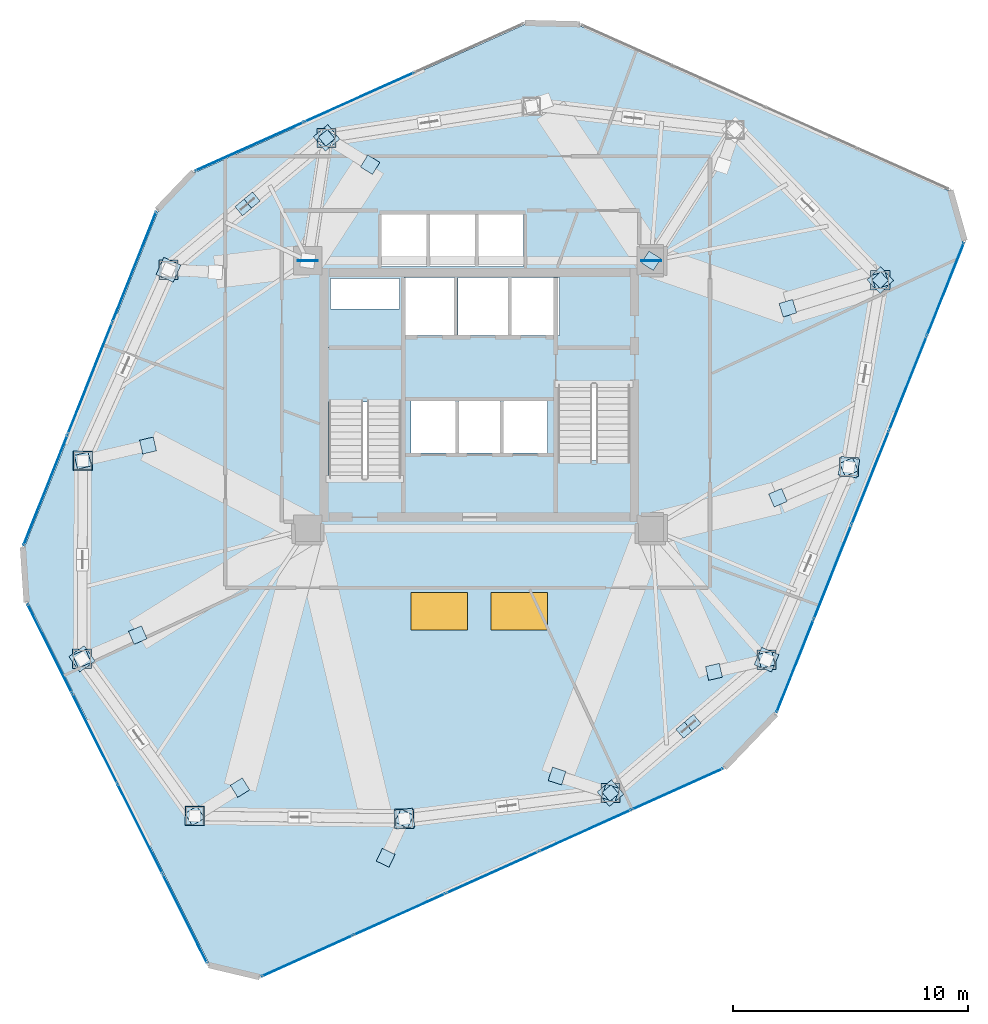
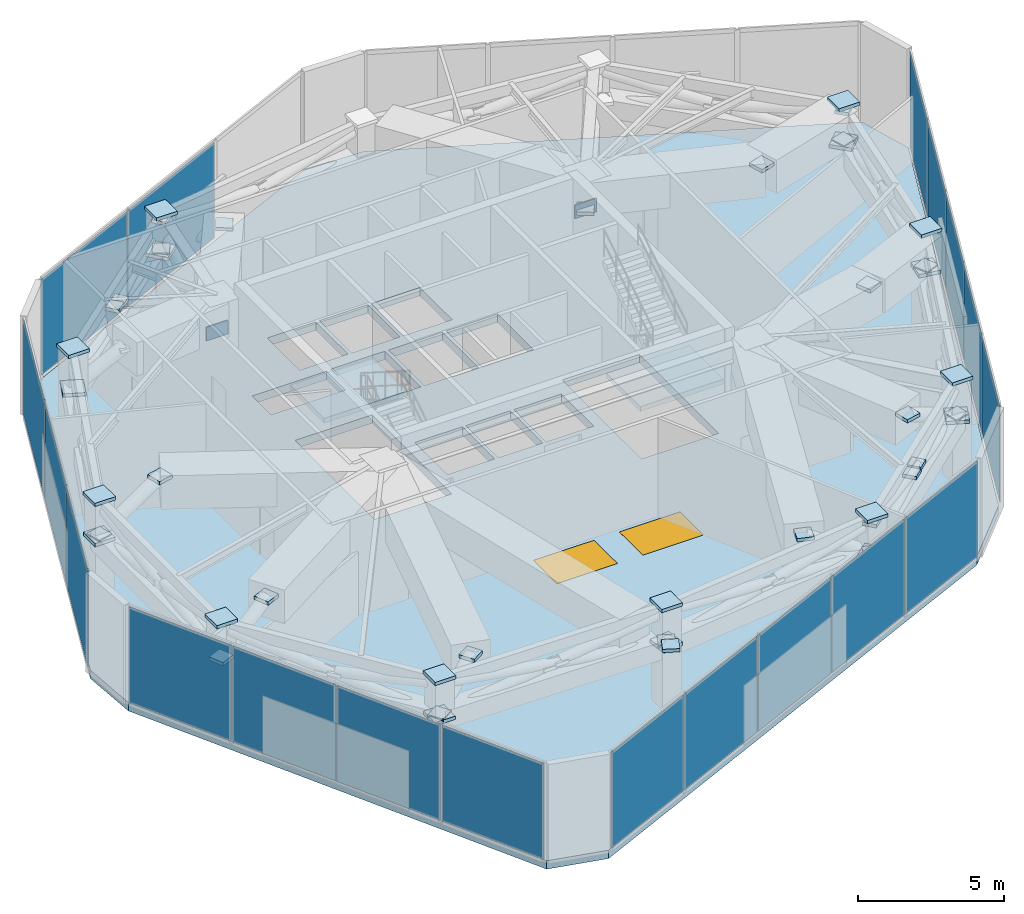
# One storey, part 16 of 21: 67 plates, 3 slabs, 2 windows, 2 openings, 7 elements without a shape of their own.
"""IFC4 building model written with IfcOpenShell, lengths in metres."""

from ifc_helpers import new_model, si_unit, direction, frame, origin, origin_2d, place, context, subcontext, project, spatial, polyline, rectangle, outline, extrude, source, transform, mapped, material, layer, layer_set, type_object, type_shapes, element, fill, aggregate, save


model = new_model("IFC4")

# Units and contexts
model_context = context("Model", 3, precision=1e-05, world=origin(), true_north=direction((0.0, 1.0)))
body_context = subcontext(model_context, "Body", "Model", "MODEL_VIEW")
ifc_project = project(units=[si_unit("LENGTHUNIT", "METRE"), si_unit("AREAUNIT", "SQUARE_METRE"), si_unit("VOLUMEUNIT", "CUBIC_METRE"), si_unit("PLANEANGLEUNIT", "RADIAN"), si_unit("MASSUNIT", "GRAM", prefix="KILO")], contexts=[model_context])

# Site, building, storey
site_placement = place(None, origin())
site = spatial("IfcSite", under=ifc_project, at=site_placement, CompositionType="ELEMENT")
building_placement = place(site_placement, origin())
building = spatial("IfcBuilding", under=site, at=building_placement, Name="Talar Marvaseh", CompositionType="ELEMENT")
storey_placement = place(building_placement, frame((0.0, 0.0, 162.39990234375)))
storey = spatial("IfcBuildingStorey", under=building, at=storey_placement, Name="L42", CompositionType="ELEMENT", Elevation=162.39990234375)

# Stair, slab
ifc_material_1 = material(Name="Concrete C40/50", Category="concrete")
stair_type = type_object("IfcStairType", Name="Reinforced Concrete Half-Turn Exit Stair Type B", PredefinedType="HALF_TURN_STAIR", material=ifc_material_1)
stair_1_placement = place(storey_placement, origin())
stair_1 = element("IfcStair", 1, at=stair_1_placement, inside=storey, type_object=stair_type, Name="L42 Tower West Core Exit Stair", PredefinedType="HALF_TURN_STAIR")
ifc_layer_1 = layer(ifc_material_1, 0.199951171875)
ifc_layer_set_1 = layer_set([ifc_layer_1], Name="Concrete C40/50")
slab_type_1 = type_object("IfcSlabType", Name="Reinforced Concrete Stair Half-Landing Slab 200", PredefinedType="LANDING", material=ifc_layer_set_1)
slab_1_placement = place(storey_placement, frame((0.0, 0.0, 2.10009765625)))
slab_1 = element("IfcSlab", 2, at=slab_1_placement, type_object=slab_type_1, Name="ST-1 landing 1", PredefinedType="LANDING", context=body_context, shape_type="SweptSolid", body=[
    extrude(outline(polyline([(22.780029296875, 30.889892578125), (22.780029296875, 33.219970703125), (19.47998046875, 33.219970703125), (19.47998046875, 30.889892578125), (22.780029296875, 30.889892578125)])), origin(), (0.0, 0.0, 1.0), 0.199951171875),
])
aggregate(stair_1, [slab_1])

stair_2_placement = place(storey_placement, origin())
stair_2 = element("IfcStair", 3, at=stair_2_placement, inside=storey, type_object=stair_type, Name="L42 Tower East Core Exit Stair", PredefinedType="HALF_TURN_STAIR")
slab_2_placement = place(storey_placement, frame((0.0, 0.0, 2.10009765625)))
slab_2 = element("IfcSlab", 4, at=slab_2_placement, type_object=slab_type_1, Name="ST-2 landing 1", PredefinedType="LANDING", context=body_context, shape_type="SweptSolid", body=[
    extrude(outline(polyline([(29.219970703125, 28.409912109375), (29.219970703125, 26.080078125), (32.52001953125, 26.080078125), (32.52001953125, 28.409912109375), (29.219970703125, 28.409912109375)])), origin(), (0.0, 0.0, 1.0), 0.199951171875),
])
aggregate(stair_2, [slab_2])

# Slab, openings, windows
ifc_material_2 = material(Name="Concrete C50/60", Category="concrete")
ifc_layer_2 = layer(ifc_material_2, 0.35009765625)
ifc_layer_set_2 = layer_set([ifc_layer_2], Name="Concrete C50/60")
slab_type_2 = type_object("IfcSlabType", Name="Structural Suspended Floor Slab 350", PredefinedType="FLOOR", material=ifc_layer_set_2)
slab_3_placement = place(storey_placement, frame((0.0, 0.0, -0.349853515625)))
slab_3 = element("IfcSlab", 5, at=slab_3_placement, inside=storey, type_object=slab_type_2, Name="L42 Tower Floor Slab", PredefinedType="FLOOR", context=body_context, shape_type="SweptSolid", body=[
    extrude(outline(polyline([(16.66455078125, 6.50390625), (14.5078125, 7.0146484375), (6.81103515625, 22.38720703125), (6.65283203125, 24.72265625), (12.3388671875, 39.023681640625), (13.891357421875, 40.6455078125), (27.930908203125, 46.949951171875), (30.27099609375, 46.893798828125), (45.964599609375, 39.875), (46.569091796875, 37.7421875), (38.555419921875, 17.664794921875), (36.373291015625, 15.3857421875), (16.66455078125, 6.50390625)]), holes=[polyline([(22.659912109375, 27.64990234375), (22.659912109375, 33.10009765625), (19.60009765625, 33.10009765625), (19.60009765625, 27.64990234375), (22.659912109375, 27.64990234375)]), polyline([(29.340087890625, 31.64990234375), (29.340087890625, 26.199951171875), (32.39990234375, 26.199951171875), (32.39990234375, 31.64990234375), (29.340087890625, 31.64990234375)]), polyline([(22.800048828125, 33.719970703125), (24.93994140625, 33.719970703125), (24.93994140625, 36.179931640625), (22.800048828125, 36.179931640625), (22.800048828125, 33.719970703125)]), polyline([(25.080078125, 33.719970703125), (27.219970703125, 33.719970703125), (27.219970703125, 36.179931640625), (25.080078125, 36.179931640625), (25.080078125, 33.719970703125)]), polyline([(27.360107421875, 33.719970703125), (29.39990234375, 33.719970703125), (29.39990234375, 36.179931640625), (27.360107421875, 36.179931640625), (27.360107421875, 33.719970703125)]), polyline([(21.840087890625, 36.659912109375), (23.760009765625, 36.659912109375), (23.760009765625, 38.8798828125), (21.840087890625, 38.8798828125), (21.840087890625, 36.659912109375)]), polyline([(23.89990234375, 36.659912109375), (25.820068359375, 36.659912109375), (25.820068359375, 38.8798828125), (23.89990234375, 38.8798828125), (23.89990234375, 36.659912109375)]), polyline([(25.9599609375, 36.659912109375), (27.8798828125, 36.659912109375), (27.8798828125, 38.8798828125), (25.9599609375, 38.8798828125), (25.9599609375, 36.659912109375)]), polyline([(23.10009765625, 28.719970703125), (24.97998046875, 28.719970703125), (24.97998046875, 30.93994140625), (23.10009765625, 30.93994140625), (23.10009765625, 28.719970703125)]), polyline([(25.1201171875, 28.719970703125), (26.8798828125, 28.719970703125), (26.8798828125, 30.93994140625), (25.1201171875, 30.93994140625), (25.1201171875, 28.719970703125)]), polyline([(27.02001953125, 28.719970703125), (28.89990234375, 28.719970703125), (28.89990234375, 30.93994140625), (27.02001953125, 30.93994140625), (27.02001953125, 28.719970703125)]), polyline([(19.659912109375, 34.840087890625), (22.60009765625, 34.840087890625), (22.60009765625, 36.139892578125), (19.659912109375, 36.139892578125), (19.659912109375, 34.840087890625)])]), origin(), (0.0, 0.0, 1.0), 0.349853515625),
])
opening_1_placement = place(slab_3_placement, frame((24.300048828125, 22.0, -0.010009765625)))
opening_1 = element("IfcOpeningElement", 6, at=opening_1_placement, cuts=slab_3, Name="Opening WN-SKY24", PredefinedType="OPENING", context=body_context, shape_type="SweptSolid", body=[
    extrude(rectangle(XDim=2.39990234375, YDim=1.60009765625, at=origin_2d()), origin(), (0.0, 0.0, 1.0), 0.369873046875),
])
opening_2_placement = place(slab_3_placement, frame((27.699951171875, 22.0, -0.010009765625)))
opening_2 = element("IfcOpeningElement", 7, at=opening_2_placement, cuts=slab_3, Name="Opening WN-SKY24", PredefinedType="OPENING", context=body_context, shape_type="SweptSolid", body=[
    extrude(rectangle(XDim=2.39990234375, YDim=1.60009765625, at=origin_2d()), origin(), (0.0, 0.0, 1.0), 0.369873046875),
])
ifc_material_3 = material(Name="Laminated Low-E Solar Glass", Category="glass")
window_type = type_object("IfcWindowType", Name="Atrium Compartment Smoke-Rated Roof Skylight 2400x1600", PartitioningType="SINGLE_PANEL", PredefinedType="SKYLIGHT", material=ifc_material_3)
window_1_placement = place(slab_3_placement, frame((24.300048828125, 22.0, 0.2998046875)))
window_1 = element("IfcWindow", 8, at=window_1_placement, inside=storey, type_object=window_type, Name="L42 Atrium Compartment Smoke-Rated Skylight", OverallHeight=1.60009765625, OverallWidth=2.39990234375, PartitioningType="SINGLE_PANEL", PredefinedType="SKYLIGHT", context=body_context, shape_type="SweptSolid", body=[
    extrude(rectangle(XDim=2.39990234375, YDim=1.60009765625, at=origin_2d()), origin(), (0.0, 0.0, 1.0), 0.050048828125),
])
fill(opening_1, window_1)
window_2_placement = place(slab_3_placement, frame((27.699951171875, 22.0, 0.2998046875)))
window_2 = element("IfcWindow", 9, at=window_2_placement, inside=storey, type_object=window_type, Name="L42 Atrium Compartment Smoke-Rated Skylight", OverallHeight=1.60009765625, OverallWidth=2.39990234375, PartitioningType="SINGLE_PANEL", PredefinedType="SKYLIGHT", context=body_context, shape_type="SweptSolid", body=[
    extrude(rectangle(XDim=2.39990234375, YDim=1.60009765625, at=origin_2d()), origin(), (0.0, 0.0, 1.0), 0.050048828125),
])
fill(opening_2, window_2)

# Plates
ifc_material_4 = material(Name="Steel S460", Category="steel")
ifc_layer_3 = layer(ifc_material_4, 0.02490234375)
ifc_layer_set_3 = layer_set([ifc_layer_3], Name="Steel S460")
plate_type_1 = type_object("IfcPlateType", Name="Crown Box End Closure Cap Plate 25", PredefinedType="USERDEFINED", material=ifc_layer_set_3)
shared_shape_1 = source(origin(), body_context, "Body", "SweptSolid", [
    extrude(rectangle(XDim=0.5, YDim=0.5, at=origin_2d()), origin(), (0.0, 0.0, 1.0), 0.139892578125),
])
type_shapes(plate_type_1, [shared_shape_1])
for number, where, z_axis, x_axis, name in (
    (10, (43.0439453125, 36.075927734375, 3.7802734375), (0.0, 0.0, 1.0), (0.694658370459, -0.719339800339, 0.0), "L42 Hollow Member End Cap Plate"),
    (11, (31.570068359375, 14.26806640625, 3.7802734375), (0.0, 0.0, 1.0), (-0.7604059656, -0.64944804833, 0.0), "L42 Hollow Member End Cap Plate"),
    (12, (34.707763671875, 16.950439453125, 3.068359375), (0.0, 0.0, 1.0), (0.7604059656, 0.64944804833, 0.0), "L42 Hollow Member End Cap Plate"),
    (13, (35.068359375, 17.258544921875, 3.14208984375), (0.0, 0.0, 1.0), (0.7604059656, 0.64944804833, 0.0), "L42 Hollow Member End Cap Plate"),
    (14, (19.5009765625, 42.123046875, 3.7802734375), (0.0, 0.0, 1.0), (0.768283523594, 0.640109699485, 0.0), "L42 Hollow Member End Cap Plate"),
    (15, (16.322509765625, 39.471923828125, 3.068359375), (0.0, 0.0, 1.0), (-0.768283523594, -0.640109699485, 0.0), "L42 Hollow Member End Cap Plate"),
    (16, (15.95849609375, 39.168212890625, 3.1416015625), (0.0, 0.0, 1.0), (-0.768283523594, -0.640109699485, 0.0), "L42 Hollow Member End Cap Plate"),
):
    element("IfcPlate", number, at=place(storey_placement, frame(where, z_axis=z_axis, x_axis=x_axis)), inside=storey, type_object=plate_type_1, Name=name, ObjectType="CAP_PLATE", PredefinedType="USERDEFINED", context=body_context, shape_type="MappedRepresentation", body=[
        mapped(shared_shape_1, transform((0.0, 0.0, 0.0), x_axis=(1.0, 0.0, 0.0), y_axis=(0.0, 1.0, 0.0), z_axis=(0.0, 0.0, 1.0), scale=1.0)),
    ])
ifc_layer_4 = layer(ifc_material_4, 0.034912109375)
ifc_layer_set_4 = layer_set([ifc_layer_4], Name="Steel S460")
plate_type_2 = type_object("IfcPlateType", Name="Belt Truss Post Closure Cap Plate 35", PredefinedType="USERDEFINED", material=ifc_layer_set_4)
shared_shape_2 = source(origin(), body_context, "Body", "SweptSolid", [
    extrude(rectangle(XDim=0.800048828125, YDim=0.800048828125, at=origin_2d()), origin(), (0.0, 0.0, 1.0), 0.139892578125),
])
for number, where, z_axis, x_axis, name in (
    (17, (43.0439453125, 36.075927734375, 2.43017578125), (0.0, 0.0, 1.0), (0.694658370459, -0.719339800339, 0.0), "L42 Hollow Member End Cap Plate"),
    (18, (41.708984375, 28.1279296875, 2.43017578125), (0.0, 0.0, 1.0), (-0.165047605861, -0.986285601537, 0.0), "L42 Hollow Member End Cap Plate"),
    (19, (38.2060546875, 19.94091796875, 2.43017578125), (0.0, 0.0, 1.0), (-0.393941909591, -0.919135339255, 0.0), "L42 Hollow Member End Cap Plate"),
    (20, (31.570068359375, 14.26806640625, 2.43017578125), (0.0, 0.0, 1.0), (-0.7604059656, -0.64944804833, 0.0), "L42 Hollow Member End Cap Plate"),
    (21, (22.804931640625, 13.18310546875, 2.43017578125), (0.0, 0.0, 1.0), (-0.992331937885, -0.12360147674, 0.0), "L42 Hollow Member End Cap Plate"),
    (22, (13.89111328125, 13.299072265625, 2.43017578125), (0.0, 0.0, 1.0), (-0.99992536966, 0.012217000835, 0.0), "L42 Hollow Member End Cap Plate"),
    (23, (9.10107421875, 19.97705078125, 2.43017578125), (0.0, 0.0, 1.0), (-0.583541211356, 0.812083526892, 0.0), "L42 Hollow Member End Cap Plate"),
    (24, (9.137939453125, 28.402099609375, 2.43017578125), (0.0, 0.0, 1.0), (0.005235963831, 0.999986292247, 0.0), "L42 Hollow Member End Cap Plate"),
    (25, (12.780029296875, 36.51708984375, 2.43017578125), (0.0, 0.0, 1.0), (0.409923033842, 0.912120116172, 0.0), "L42 Hollow Member End Cap Plate"),
    (26, (19.5009765625, 42.123046875, 2.43017578125), (0.0, 0.0, 1.0), (0.768283523594, 0.640109699485, 0.0), "L42 Hollow Member End Cap Plate"),
):
    element("IfcPlate", number, at=place(storey_placement, frame(where, z_axis=z_axis, x_axis=x_axis)), inside=storey, type_object=plate_type_2, Name=name, ObjectType="CAP_PLATE", PredefinedType="USERDEFINED", context=body_context, shape_type="MappedRepresentation", body=[
        mapped(shared_shape_2, transform((0.0, 0.0, 0.0), x_axis=(1.0, 0.0, 0.0), y_axis=(0.0, 1.0, 0.0), z_axis=(0.0, 0.0, 1.0), scale=1.0)),
    ])
ifc_layer_5 = layer(ifc_material_4, 0.030029296875)
ifc_layer_set_5 = layer_set([ifc_layer_5], Name="Steel S460")
plate_type_3 = type_object("IfcPlateType", Name="Heavy Box End Closure Cap Plate 30", PredefinedType="USERDEFINED", material=ifc_layer_set_5)
shared_shape_3 = source(origin(), body_context, "Body", "SweptSolid", [
    extrude(rectangle(XDim=0.60009765625, YDim=0.60009765625, at=origin_2d()), origin(), (0.0, 0.0, 1.0), 0.139892578125),
])
type_shapes(plate_type_3, [shared_shape_3])
for number, where, z_axis, x_axis, name in (
    (27, (33.300048828125, 36.89990234375, 2.5302734375), (0.0, 0.0, 1.0), (0.538770785007, 0.842452397007, 0.0), "L42 Hollow Member End Cap Plate"),
    (28, (43.0439453125, 36.075927734375, 2.47998046875), (0.0, 0.0, 1.0), (-0.956813584058, -0.290702193598, 0.0), "L42 Hollow Member End Cap Plate"),
    (29, (39.113037109375, 34.884033203125, 3.580078125), (0.0, 0.0, 1.0), (-0.956813584058, -0.290702193598, 0.0), "L42 Hollow Member End Cap Plate"),
    (30, (41.708984375, 28.1279296875, 2.47998046875), (0.0, 0.0, 1.0), (-0.917754625684, -0.397147890635, 0.0), "L42 Hollow Member End Cap Plate"),
    (31, (38.68896484375, 26.823974609375, 3.580078125), (0.0, 0.0, 1.0), (-0.917754625684, -0.397147890635, 0.0), "L42 Hollow Member End Cap Plate"),
    (32, (38.2060546875, 19.94091796875, 2.47998046875), (0.0, 0.0, 1.0), (-0.974370064785, -0.224951054344, 0.0), "L42 Hollow Member End Cap Plate"),
    (33, (35.970947265625, 19.423095703125, 3.580078125), (0.0, 0.0, 1.0), (-0.974370064785, -0.224951054344, 0.0), "L42 Hollow Member End Cap Plate"),
    (34, (31.570068359375, 14.26806640625, 2.47998046875), (0.0, 0.0, 1.0), (-0.952661481254, 0.304033060925, 0.0), "L42 Hollow Member End Cap Plate"),
    (35, (29.299072265625, 14.993896484375, 3.580078125), (0.0, 0.0, 1.0), (-0.952661481254, 0.304033060925, 0.0), "L42 Hollow Member End Cap Plate"),
    (36, (22.804931640625, 13.18310546875, 2.47998046875), (0.0, 0.0, 1.0), (-0.428935133403, -0.903335292863, 0.0), "L42 Hollow Member End Cap Plate"),
    (37, (22.014892578125, 11.51904296875, 3.580078125), (0.0, 0.0, 1.0), (-0.428935133403, -0.903335292863, 0.0), "L42 Hollow Member End Cap Plate"),
    (38, (13.89111328125, 13.299072265625, 2.47998046875), (0.0, 0.0, 1.0), (0.848971687629, 0.528438334722, 0.0), "L42 Hollow Member End Cap Plate"),
    (39, (15.819091796875, 14.5009765625, 3.580078125), (0.0, 0.0, 1.0), (0.848971687629, 0.528438334722, 0.0), "L42 Hollow Member End Cap Plate"),
    (40, (9.10107421875, 19.97705078125, 2.47998046875), (0.0, 0.0, 1.0), (0.919821497322, 0.392337116604, 0.0), "L42 Hollow Member End Cap Plate"),
    (41, (11.471923828125, 20.986083984375, 3.580078125), (0.0, 0.0, 1.0), (0.919821497322, 0.392337116604, 0.0), "L42 Hollow Member End Cap Plate"),
    (42, (9.137939453125, 28.402099609375, 2.47998046875), (0.0, 0.0, 1.0), (0.973975967279, 0.226651307437, 0.0), "L42 Hollow Member End Cap Plate"),
    (43, (11.908935546875, 29.044921875, 3.580078125), (0.0, 0.0, 1.0), (0.973975967279, 0.226651307437, 0.0), "L42 Hollow Member End Cap Plate"),
    (44, (19.5009765625, 42.123046875, 2.47998046875), (0.0, 0.0, 1.0), (0.851726934143, -0.52398590597, 0.0), "L42 Hollow Member End Cap Plate"),
    (45, (21.35205078125, 40.986083984375, 3.580078125), (0.0, 0.0, 1.0), (0.851726934143, -0.52398590597, 0.0), "L42 Hollow Member End Cap Plate"),
):
    element("IfcPlate", number, at=place(storey_placement, frame(where, z_axis=z_axis, x_axis=x_axis)), inside=storey, type_object=plate_type_3, Name=name, ObjectType="CAP_PLATE", PredefinedType="USERDEFINED", context=body_context, shape_type="MappedRepresentation", body=[
        mapped(shared_shape_3, transform((0.0, 0.0, 0.0), x_axis=(1.0, 0.0, 0.0), y_axis=(0.0, 1.0, 0.0), z_axis=(0.0, 0.0, 1.0), scale=1.0)),
    ])
shared_shape_4 = source(origin(), body_context, "Body", "SweptSolid", [
    extrude(rectangle(XDim=0.820068359375, YDim=0.820068359375, at=origin_2d()), origin(), (0.0, 0.0, 1.0), 0.139892578125),
])
type_shapes(plate_type_2, [shared_shape_2, shared_shape_4])
for number, where, z_axis, x_axis, name in (
    (46, (43.0439453125, 36.075927734375, 4.125), (0.0, 0.0, 1.0), (1.0, 0.0, 0.0), "L42 Belt Truss Post Top Cap Plate"),
    (47, (41.708984375, 28.1279296875, 4.125), (0.0, 0.0, 1.0), (1.0, 0.0, 0.0), "L42 Belt Truss Post Top Cap Plate"),
    (48, (38.2060546875, 19.94091796875, 4.125), (0.0, 0.0, 1.0), (1.0, 0.0, 0.0), "L42 Belt Truss Post Top Cap Plate"),
    (49, (31.570068359375, 14.26806640625, 4.125), (0.0, 0.0, 1.0), (1.0, 0.0, 0.0), "L42 Belt Truss Post Top Cap Plate"),
    (50, (22.804931640625, 13.18310546875, 4.125), (0.0, 0.0, 1.0), (1.0, 0.0, 0.0), "L42 Belt Truss Post Top Cap Plate"),
    (51, (13.89111328125, 13.299072265625, 4.125), (0.0, 0.0, 1.0), (1.0, 0.0, 0.0), "L42 Belt Truss Post Top Cap Plate"),
    (52, (9.10107421875, 19.97705078125, 4.125), (0.0, 0.0, 1.0), (1.0, 0.0, 0.0), "L42 Belt Truss Post Top Cap Plate"),
    (53, (9.137939453125, 28.402099609375, 4.125), (0.0, 0.0, 1.0), (1.0, 0.0, 0.0), "L42 Belt Truss Post Top Cap Plate"),
    (54, (12.780029296875, 36.51708984375, 4.125), (0.0, 0.0, 1.0), (1.0, 0.0, 0.0), "L42 Belt Truss Post Top Cap Plate"),
    (55, (19.5009765625, 42.123046875, 4.125), (0.0, 0.0, 1.0), (1.0, 0.0, 0.0), "L42 Belt Truss Post Top Cap Plate"),
):
    element("IfcPlate", number, at=place(storey_placement, frame(where, z_axis=z_axis, x_axis=x_axis)), inside=storey, type_object=plate_type_2, Name=name, ObjectType="CAP_PLATE", PredefinedType="USERDEFINED", context=body_context, shape_type="MappedRepresentation", body=[
        mapped(shared_shape_4, transform((0.0, 0.0, 0.0), x_axis=(1.0, 0.0, 0.0), y_axis=(0.0, 1.0, 0.0), z_axis=(0.0, 0.0, 1.0), scale=1.0)),
    ])
ifc_layer_6 = layer(ifc_material_4, 0.035888671875)
ifc_layer_set_6 = layer_set([ifc_layer_6], Name="Steel S460")
plate_type_4 = type_object("IfcPlateType", Name="Outrigger Node Gusset Plate 36", PredefinedType="USERDEFINED", material=ifc_layer_set_6)
shared_shape_5 = source(origin(), body_context, "Body", "SweptSolid", [
    extrude(rectangle(XDim=0.840087890625, YDim=0.035888671875, at=origin_2d()), origin(), (0.0, 0.0, 1.0), 0.56005859375),
])
type_shapes(plate_type_4, [shared_shape_5])
for number, where, z_axis, x_axis, name in (
    (56, (18.699951171875, 36.89990234375, 2.340087890625), (0.0, 0.0, 1.0), (1.0, 0.0, 0.0), "L42 Outrigger Gusset Plate 1"),
    (57, (33.300048828125, 36.89990234375, 2.340087890625), (0.0, 0.0, 1.0), (1.0, 0.0, 0.0), "L42 Outrigger Gusset Plate 2"),
):
    element("IfcPlate", number, at=place(storey_placement, frame(where, z_axis=z_axis, x_axis=x_axis)), inside=storey, type_object=plate_type_4, Name=name, ObjectType="GUSSET_PLATE", PredefinedType="USERDEFINED", context=body_context, shape_type="MappedRepresentation", body=[
        mapped(shared_shape_5, transform((0.0, 0.0, 0.0), x_axis=(1.0, 0.0, 0.0), y_axis=(0.0, 1.0, 0.0), z_axis=(0.0, 0.0, 1.0), scale=1.0)),
    ])

# Curtain wall, plates
ifc_material_5 = material(Name="Architectural Aluminium", Category="aluminium")
ifc_layer_7 = layer(ifc_material_5, 0.199951171875)
ifc_layer_set_7 = layer_set([ifc_layer_7], Name="Architectural Aluminium")
curtain_wall_type = type_object("IfcCurtainWallType", Name="Unitised Acoustic Library Curtain Wall Z2", PredefinedType="NOTDEFINED", material=ifc_layer_set_7)
curtain_wall_1_placement = place(storey_placement, origin())
curtain_wall_1 = element("IfcCurtainWall", 58, at=curtain_wall_1_placement, inside=storey, type_object=curtain_wall_type, Name="L42 Unitised Acoustic Library Curtain Wall Z2", PredefinedType="NOTDEFINED")
ifc_material_6 = material(Name="Spandrel Insulated Glass", Category="glass")
ifc_layer_8 = layer(ifc_material_6, 0.035888671875)
ifc_layer_set_8 = layer_set([ifc_layer_8], Name="Spandrel Insulated Glass")
plate_type_5 = type_object("IfcPlateType", Name="Insulated Back-Painted Spandrel Curtain Panel 36", PredefinedType="CURTAIN_PANEL", material=ifc_layer_set_8)
shared_shape_6 = source(origin(), body_context, "Body", "SweptSolid", [
    extrude(rectangle(XDim=4.185302734375, YDim=0.035888671875, at=origin_2d()), origin(), (0.0, 0.0, 1.0), 4.0),
])
plate_1_placement = place(storey_placement, frame((13.4833984375, 8.926025390625, 0.0751953125), z_axis=(0.0, 0.0, 1.0), x_axis=(-0.447702140513, 0.894182751668, 0.0)))
plate_1 = element("IfcPlate", 59, at=plate_1_placement, type_object=plate_type_5, Name="CW-Z2 panel 1.1", PredefinedType="CURTAIN_PANEL", context=body_context, shape_type="MappedRepresentation", body=[
    mapped(shared_shape_6, transform((0.0, 0.0, 0.0), x_axis=(1.0, 0.0, 0.0), y_axis=(0.0, 1.0, 0.0), z_axis=(0.0, 0.0, 1.0), scale=1.0)),
])
plate_2_placement = place(storey_placement, frame((7.727783203125, 20.421875, 0.0751953125), z_axis=(0.0, 0.0, 1.0), x_axis=(-0.447702140513, 0.894182751668, 0.0)))
plate_2 = element("IfcPlate", 60, at=plate_2_placement, type_object=plate_type_5, Name="CW-Z2 panel 4.1", PredefinedType="CURTAIN_PANEL", context=body_context, shape_type="MappedRepresentation", body=[
    mapped(shared_shape_6, transform((0.0, 0.0, 0.0), x_axis=(1.0, 0.0, 0.0), y_axis=(0.0, 1.0, 0.0), z_axis=(0.0, 0.0, 1.0), scale=1.0)),
])
shared_shape_7 = source(origin(), body_context, "Body", "SweptSolid", [
    extrude(rectangle(XDim=4.222900390625, YDim=0.035888671875, at=origin_2d()), origin(), (0.0, 0.0, 1.0), 4.0),
])
plate_3_placement = place(storey_placement, frame((11.567626953125, 12.75244140625, 0.0751953125), z_axis=(0.0, 0.0, 1.0), x_axis=(-0.447702140513, 0.894182751668, 0.0)))
plate_3 = element("IfcPlate", 61, at=plate_3_placement, type_object=plate_type_5, Name="CW-Z2 panel 2.1", PredefinedType="CURTAIN_PANEL", context=body_context, shape_type="MappedRepresentation", body=[
    mapped(shared_shape_7, transform((0.0, 0.0, 0.0), x_axis=(1.0, 0.0, 0.0), y_axis=(0.0, 1.0, 0.0), z_axis=(0.0, 0.0, 1.0), scale=1.0)),
])
plate_4_placement = place(storey_placement, frame((9.6435546875, 16.595458984375, 0.0751953125), z_axis=(0.0, 0.0, 1.0), x_axis=(-0.447702140513, 0.894182751668, 0.0)))
plate_4 = element("IfcPlate", 62, at=plate_4_placement, type_object=plate_type_5, Name="CW-Z2 panel 3.1", PredefinedType="CURTAIN_PANEL", context=body_context, shape_type="MappedRepresentation", body=[
    mapped(shared_shape_7, transform((0.0, 0.0, 0.0), x_axis=(1.0, 0.0, 0.0), y_axis=(0.0, 1.0, 0.0), z_axis=(0.0, 0.0, 1.0), scale=1.0)),
])
aggregate(curtain_wall_1, [plate_1, plate_3, plate_4, plate_2])

curtain_wall_2_placement = place(storey_placement, origin())
curtain_wall_2 = element("IfcCurtainWall", 63, at=curtain_wall_2_placement, inside=storey, type_object=curtain_wall_type, Name="L42 Unitised Acoustic Library Curtain Wall Z2", PredefinedType="NOTDEFINED")
shared_shape_8 = source(origin(), body_context, "Body", "SweptSolid", [
    extrude(rectangle(XDim=5.017578125, YDim=0.035888671875, at=origin_2d()), origin(), (0.0, 0.0, 1.0), 4.0),
])
plate_5_placement = place(storey_placement, frame((7.551513671875, 27.145751953125, 0.0751953125), z_axis=(0.0, 0.0, 1.0), x_axis=(0.369458491342, 0.929247234688, 0.0)))
plate_5 = element("IfcPlate", 64, at=plate_5_placement, type_object=plate_type_5, Name="CW-Z2 panel 1.1", PredefinedType="CURTAIN_PANEL", context=body_context, shape_type="MappedRepresentation", body=[
    mapped(shared_shape_8, transform((0.0, 0.0, 0.0), x_axis=(1.0, 0.0, 0.0), y_axis=(0.0, 1.0, 0.0), z_axis=(0.0, 0.0, 1.0), scale=1.0)),
])
plate_6_placement = place(storey_placement, frame((11.328369140625, 36.64501953125, 0.0751953125), z_axis=(0.0, 0.0, 1.0), x_axis=(0.369458491342, 0.929247234688, 0.0)))
plate_6 = element("IfcPlate", 65, at=plate_6_placement, type_object=plate_type_5, Name="CW-Z2 panel 3.1", PredefinedType="CURTAIN_PANEL", context=body_context, shape_type="MappedRepresentation", body=[
    mapped(shared_shape_8, transform((0.0, 0.0, 0.0), x_axis=(1.0, 0.0, 0.0), y_axis=(0.0, 1.0, 0.0), z_axis=(0.0, 0.0, 1.0), scale=1.0)),
])

# Curtain wall, plate
curtain_wall_3_placement = place(storey_placement, origin())
curtain_wall_3 = element("IfcCurtainWall", 66, at=curtain_wall_3_placement, inside=storey, type_object=curtain_wall_type, Name="L42 Unitised Acoustic Library Curtain Wall Z2", PredefinedType="NOTDEFINED")
plate_7_placement = place(storey_placement, frame((16.2236328125, 41.758544921875, 0.0751953125), z_axis=(0.0, 0.0, 1.0), x_axis=(0.912247532518, 0.409639401688, 0.0)))
plate_7 = element("IfcPlate", 67, at=plate_7_placement, type_object=plate_type_5, Name="CW-Z2 panel 1.1", PredefinedType="CURTAIN_PANEL", context=body_context, shape_type="MappedRepresentation", body=[
    mapped(shared_shape_8, transform((0.0, 0.0, 0.0), x_axis=(1.0, 0.0, 0.0), y_axis=(0.0, 1.0, 0.0), z_axis=(0.0, 0.0, 1.0), scale=1.0)),
])

# Plate
shared_shape_9 = source(origin(), body_context, "Body", "SweptSolid", [
    extrude(rectangle(XDim=5.054931640625, YDim=0.035888671875, at=origin_2d()), origin(), (0.0, 0.0, 1.0), 4.0),
])
plate_8_placement = place(storey_placement, frame((9.43994140625, 31.8955078125, 0.0751953125), z_axis=(0.0, 0.0, 1.0), x_axis=(0.369458491342, 0.929247234688, 0.0)))
plate_8 = element("IfcPlate", 68, at=plate_8_placement, type_object=plate_type_5, Name="CW-Z2 panel 2.1", PredefinedType="CURTAIN_PANEL", context=body_context, shape_type="MappedRepresentation", body=[
    mapped(shared_shape_9, transform((0.0, 0.0, 0.0), x_axis=(1.0, 0.0, 0.0), y_axis=(0.0, 1.0, 0.0), z_axis=(0.0, 0.0, 1.0), scale=1.0)),
])

aggregate(curtain_wall_2, [plate_5, plate_8, plate_6])

plate_9_placement = place(storey_placement, frame((20.886474609375, 43.852294921875, 0.0751953125), z_axis=(0.0, 0.0, 1.0), x_axis=(0.912247532518, 0.409639401688, 0.0)))
plate_9 = element("IfcPlate", 69, at=plate_9_placement, type_object=plate_type_5, Name="CW-Z2 panel 2.1", PredefinedType="CURTAIN_PANEL", context=body_context, shape_type="MappedRepresentation", body=[
    mapped(shared_shape_9, transform((0.0, 0.0, 0.0), x_axis=(1.0, 0.0, 0.0), y_axis=(0.0, 1.0, 0.0), z_axis=(0.0, 0.0, 1.0), scale=1.0)),
])

aggregate(curtain_wall_3, [plate_7, plate_9])

# Curtain wall, plates
curtain_wall_4_placement = place(storey_placement, origin())
curtain_wall_4 = element("IfcCurtainWall", 70, at=curtain_wall_4_placement, inside=storey, type_object=curtain_wall_type, Name="L42 Unitised Acoustic Library Curtain Wall Z2", PredefinedType="NOTDEFINED")
shared_shape_10 = source(origin(), body_context, "Body", "SweptSolid", [
    extrude(rectangle(XDim=4.2109375, YDim=0.035888671875, at=origin_2d()), origin(), (0.0, 0.0, 1.0), 4.0),
])
plate_10_placement = place(storey_placement, frame((45.81640625, 35.69482421875, 0.0751953125), z_axis=(0.0, 0.0, 1.0), x_axis=(-0.370702278732, -0.928751753992, 0.0)))
plate_10 = element("IfcPlate", 71, at=plate_10_placement, type_object=plate_type_5, Name="CW-Z2 panel 1.1", PredefinedType="CURTAIN_PANEL", context=body_context, shape_type="MappedRepresentation", body=[
    mapped(shared_shape_10, transform((0.0, 0.0, 0.0), x_axis=(1.0, 0.0, 0.0), y_axis=(0.0, 1.0, 0.0), z_axis=(0.0, 0.0, 1.0), scale=1.0)),
])
plate_11_placement = place(storey_placement, frame((39.41943359375, 19.66796875, 0.0751953125), z_axis=(0.0, 0.0, 1.0), x_axis=(-0.370702278732, -0.928751753992, 0.0)))
plate_11 = element("IfcPlate", 72, at=plate_11_placement, type_object=plate_type_5, Name="CW-Z2 panel 5.1", PredefinedType="CURTAIN_PANEL", context=body_context, shape_type="MappedRepresentation", body=[
    mapped(shared_shape_10, transform((0.0, 0.0, 0.0), x_axis=(1.0, 0.0, 0.0), y_axis=(0.0, 1.0, 0.0), z_axis=(0.0, 0.0, 1.0), scale=1.0)),
])

curtain_wall_5_placement = place(storey_placement, origin())
curtain_wall_5 = element("IfcCurtainWall", 73, at=curtain_wall_5_placement, inside=storey, type_object=curtain_wall_type, Name="L42 Unitised Acoustic Library Curtain Wall Z2", PredefinedType="NOTDEFINED")
plate_12_placement = place(storey_placement, frame((34.41015625, 14.43505859375, 0.0751953125), z_axis=(0.0, 0.0, 1.0), x_axis=(-0.911697367149, -0.410862398783, 0.0)))
plate_12 = element("IfcPlate", 74, at=plate_12_placement, type_object=plate_type_5, Name="CW-Z2 panel 1.1", PredefinedType="CURTAIN_PANEL", context=body_context, shape_type="MappedRepresentation", body=[
    mapped(shared_shape_10, transform((0.0, 0.0, 0.0), x_axis=(1.0, 0.0, 0.0), y_axis=(0.0, 1.0, 0.0), z_axis=(0.0, 0.0, 1.0), scale=1.0)),
])
plate_13_placement = place(storey_placement, frame((18.67724609375, 7.344970703125, 0.0751953125), z_axis=(0.0, 0.0, 1.0), x_axis=(-0.911697367149, -0.410862398783, 0.0)))
plate_13 = element("IfcPlate", 75, at=plate_13_placement, type_object=plate_type_5, Name="CW-Z2 panel 5.1", PredefinedType="CURTAIN_PANEL", context=body_context, shape_type="MappedRepresentation", body=[
    mapped(shared_shape_10, transform((0.0, 0.0, 0.0), x_axis=(1.0, 0.0, 0.0), y_axis=(0.0, 1.0, 0.0), z_axis=(0.0, 0.0, 1.0), scale=1.0)),
])

# Plate
shared_shape_11 = source(origin(), body_context, "Body", "SweptSolid", [
    extrude(rectangle(XDim=4.24853515625, YDim=0.035888671875, at=origin_2d()), origin(), (0.0, 0.0, 1.0), 4.0),
])
type_shapes(plate_type_5, [shared_shape_6, shared_shape_7, shared_shape_8, shared_shape_9, shared_shape_10, shared_shape_11])
plate_14_placement = place(storey_placement, frame((44.220703125, 31.69677734375, 0.0751953125), z_axis=(0.0, 0.0, 1.0), x_axis=(-0.370702278732, -0.928751753992, 0.0)))
plate_14 = element("IfcPlate", 76, at=plate_14_placement, type_object=plate_type_5, Name="CW-Z2 panel 2.1", PredefinedType="CURTAIN_PANEL", context=body_context, shape_type="MappedRepresentation", body=[
    mapped(shared_shape_11, transform((0.0, 0.0, 0.0), x_axis=(1.0, 0.0, 0.0), y_axis=(0.0, 1.0, 0.0), z_axis=(0.0, 0.0, 1.0), scale=1.0)),
])

plate_15_placement = place(storey_placement, frame((42.617919921875, 27.681396484375, 0.0751953125), z_axis=(0.0, 0.0, 1.0), x_axis=(-0.370702278732, -0.928751753992, 0.0)))
plate_15 = element("IfcPlate", 77, at=plate_15_placement, type_object=plate_type_5, Name="CW-Z2 panel 3.1", PredefinedType="CURTAIN_PANEL", context=body_context, shape_type="MappedRepresentation", body=[
    mapped(shared_shape_11, transform((0.0, 0.0, 0.0), x_axis=(1.0, 0.0, 0.0), y_axis=(0.0, 1.0, 0.0), z_axis=(0.0, 0.0, 1.0), scale=1.0)),
])

plate_16_placement = place(storey_placement, frame((41.01513671875, 23.666015625, 0.0751953125), z_axis=(0.0, 0.0, 1.0), x_axis=(-0.370702278732, -0.928751753992, 0.0)))
plate_16 = element("IfcPlate", 78, at=plate_16_placement, type_object=plate_type_5, Name="CW-Z2 panel 4.1", PredefinedType="CURTAIN_PANEL", context=body_context, shape_type="MappedRepresentation", body=[
    mapped(shared_shape_11, transform((0.0, 0.0, 0.0), x_axis=(1.0, 0.0, 0.0), y_axis=(0.0, 1.0, 0.0), z_axis=(0.0, 0.0, 1.0), scale=1.0)),
])

aggregate(curtain_wall_4, [plate_10, plate_14, plate_15, plate_16, plate_11])

plate_17_placement = place(storey_placement, frame((30.4853515625, 12.66650390625, 0.0751953125), z_axis=(0.0, 0.0, 1.0), x_axis=(-0.911697367149, -0.410862398783, 0.0)))
plate_17 = element("IfcPlate", 79, at=plate_17_placement, type_object=plate_type_5, Name="CW-Z2 panel 2.1", PredefinedType="CURTAIN_PANEL", context=body_context, shape_type="MappedRepresentation", body=[
    mapped(shared_shape_11, transform((0.0, 0.0, 0.0), x_axis=(1.0, 0.0, 0.0), y_axis=(0.0, 1.0, 0.0), z_axis=(0.0, 0.0, 1.0), scale=1.0)),
])

plate_18_placement = place(storey_placement, frame((26.543701171875, 10.89013671875, 0.0751953125), z_axis=(0.0, 0.0, 1.0), x_axis=(-0.911697367149, -0.410862398783, 0.0)))
plate_18 = element("IfcPlate", 80, at=plate_18_placement, type_object=plate_type_5, Name="CW-Z2 panel 3.1", PredefinedType="CURTAIN_PANEL", context=body_context, shape_type="MappedRepresentation", body=[
    mapped(shared_shape_11, transform((0.0, 0.0, 0.0), x_axis=(1.0, 0.0, 0.0), y_axis=(0.0, 1.0, 0.0), z_axis=(0.0, 0.0, 1.0), scale=1.0)),
])

plate_19_placement = place(storey_placement, frame((22.60205078125, 9.11376953125, 0.0751953125), z_axis=(0.0, 0.0, 1.0), x_axis=(-0.911697367149, -0.410862398783, 0.0)))
plate_19 = element("IfcPlate", 81, at=plate_19_placement, type_object=plate_type_5, Name="CW-Z2 panel 4.1", PredefinedType="CURTAIN_PANEL", context=body_context, shape_type="MappedRepresentation", body=[
    mapped(shared_shape_11, transform((0.0, 0.0, 0.0), x_axis=(1.0, 0.0, 0.0), y_axis=(0.0, 1.0, 0.0), z_axis=(0.0, 0.0, 1.0), scale=1.0)),
])

aggregate(curtain_wall_5, [plate_12, plate_17, plate_18, plate_19, plate_13])

save(model, "model.ifc")
